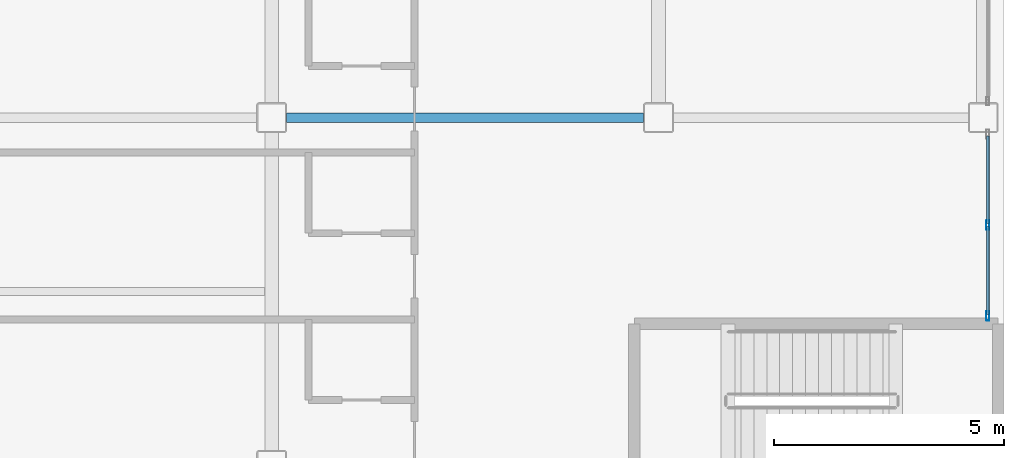
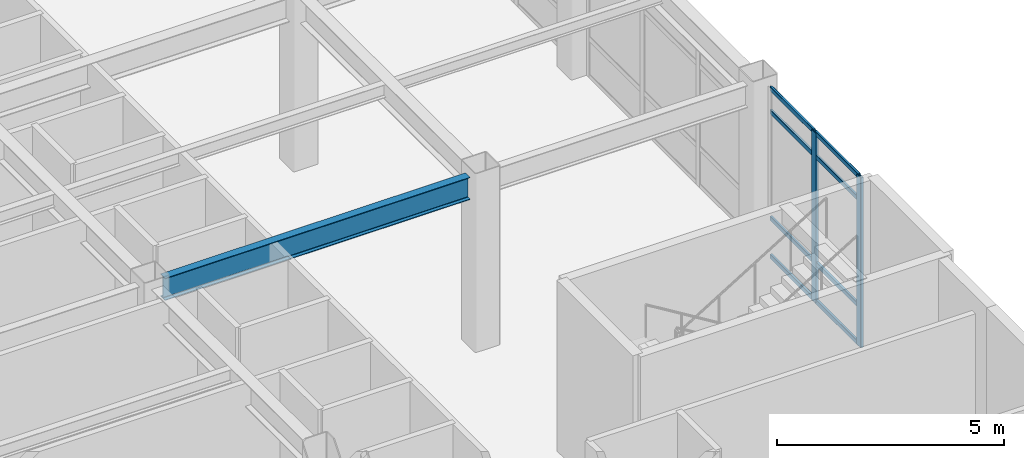
# One storey, part 31 of 61: 10 members, 1 beam, 1 element without a shape of its own.
"""IFC4 building model written with IfcOpenShell, lengths in metres."""

import ifcopenshell
import ifcopenshell.guid

model = None  # the IFC model being written
_history = None  # IfcOwnerHistory: only IFC2X3 demands one
_inside = {}  # id of a spatial element -> (the spatial element, [elements in it])
_under = {}  # id of a project, library or spatial element -> (it, [spatial elements below it])
_declared = {}  # id of a project -> (the project, [libraries it declares])
_typed = {}  # id of a type object -> (the type object, [elements of that type])
_made_of = {}  # id of a material, layer set ... -> (it, [elements and type objects made of it])


def new_model(schema):
    """Start an empty IFC model of exactly this schema.

    Asked for "IFC4X3", IfcOpenShell would pick the latest addendum, in which some entities
    have other attributes; the version numbers below select the first issue.
    IFC2X3 requires an IfcOwnerHistory on every rooted entity: one is made here for all.
    """
    global model, _history
    if schema == "IFC4X3":
        model = ifcopenshell.file(schema_version=(4, 3, 0, 0))
    else:
        model = ifcopenshell.file(schema=schema)
    _inside.clear()
    _under.clear()
    _declared.clear()
    _typed.clear()
    _made_of.clear()
    _history = None
    if model.schema == "IFC2X3":
        org = make("IfcOrganization", Name="unknown")
        user = make(
            "IfcPersonAndOrganization",
            ThePerson=make("IfcPerson", FamilyName="unknown"),
            TheOrganization=org,
        )
        app = make(
            "IfcApplication",
            ApplicationDeveloper=org,
            Version="unknown",
            ApplicationFullName="unknown",
            ApplicationIdentifier="unknown",
        )
        _history = make(
            "IfcOwnerHistory",
            OwningUser=user,
            OwningApplication=app,
            ChangeAction="ADDED",
            CreationDate=0,
        )
    return model


def make(cls, **values):
    """One entity of the class cls with the attributes given. An attribute that is None is left unset."""
    return model.create_entity(
        cls, **{name: value for name, value in values.items() if value is not None}
    )


def rooted(cls, **values):
    """An entity with a GlobalId (a new one), such as an element, a storey or a relation."""
    return make(cls, GlobalId=ifcopenshell.guid.new(), OwnerHistory=_history, **values)


def si_unit(unit_type, name, prefix=None):
    """IfcSIUnit, for example si_unit("LENGTHUNIT", "METRE", prefix="MILLI")."""
    return make("IfcSIUnit", UnitType=unit_type, Prefix=prefix, Name=name)


def assignment(units):
    """IfcUnitAssignment: the units of a project."""
    return None if units is None else make("IfcUnitAssignment", Units=units)


def point(xyz):
    """IfcCartesianPoint."""
    return None if xyz is None else make("IfcCartesianPoint", Coordinates=xyz)


def direction(xyz):
    """IfcDirection."""
    return None if xyz is None else make("IfcDirection", DirectionRatios=xyz)


def frame(location, z_axis=None, x_axis=None):
    """IfcAxis2Placement3D, a coordinate frame: its origin and axes. An axis left out is left unset."""
    return make(
        "IfcAxis2Placement3D",
        Location=point(location),
        Axis=direction(z_axis),
        RefDirection=direction(x_axis),
    )


def frame_2d(location, x_axis=None):
    """IfcAxis2Placement2D, a coordinate frame in the plane: its origin and x axis."""
    return make(
        "IfcAxis2Placement2D", Location=point(location), RefDirection=direction(x_axis)
    )


def origin():
    """The frame at (0, 0, 0) with its axes left unset."""
    return frame((0.0, 0.0, 0.0))


def origin_2d():
    """The frame at (0, 0) in the plane with its x axis left unset."""
    return frame_2d((0.0, 0.0))


def place(relative_to, where):
    """IfcLocalPlacement: puts the frame where relative to a parent placement (None: the world)."""
    return make(
        "IfcLocalPlacement", PlacementRelTo=relative_to, RelativePlacement=where
    )


def context(
    kind, dimensions, precision=None, world=None, true_north=None, identifier=None
):
    """IfcGeometricRepresentationContext, for example the 3D "Model" context."""
    return make(
        "IfcGeometricRepresentationContext",
        ContextIdentifier=identifier,
        ContextType=kind,
        CoordinateSpaceDimension=dimensions,
        Precision=precision,
        WorldCoordinateSystem=world,
        TrueNorth=true_north,
    )


def subcontext(parent, identifier, kind, view, scale=None):
    """IfcGeometricRepresentationSubContext, for example "Body" below "Model"."""
    return make(
        "IfcGeometricRepresentationSubContext",
        ContextIdentifier=identifier,
        ContextType=kind,
        ParentContext=parent,
        TargetScale=scale,
        TargetView=view,
    )


def project(units=None, contexts=None):
    """IfcProject with its units and contexts."""
    return rooted(
        "IfcProject",
        Name="project",
        RepresentationContexts=contexts,
        UnitsInContext=assignment(units),
    )


def spatial(cls, under=None, at=None, **own):
    """A site, building, storey or space (cls), placed at a placement, below another one or the project."""
    s = rooted(cls, ObjectPlacement=at, **own)
    if under is not None:
        _under.setdefault(under.id(), (under, []))[1].append(s)
    return s


def profile(cls, at=None, kind="AREA", **sizes):
    """A parametric profile (cls). Its sizes go by their IFC names, for example OverallWidth=200.0."""
    return make(cls, ProfileType=kind, Position=at, **sizes)


def hollow_rectangle(**sizes):
    """IfcRectangleHollowProfileDef."""
    return profile("IfcRectangleHollowProfileDef", **sizes)


def i_section(**sizes):
    """IfcIShapeProfileDef."""
    return profile("IfcIShapeProfileDef", **sizes)


def extrude(swept, where, along, depth):
    """IfcExtrudedAreaSolid: the profile swept, set in the frame where, extruded along a direction by depth."""
    return make(
        "IfcExtrudedAreaSolid",
        SweptArea=swept,
        Position=where,
        ExtrudedDirection=direction(along),
        Depth=depth,
    )


def shape(context_of_items, identifier, shape_type, items):
    """IfcShapeRepresentation: the items that make up one representation, for example the "Body"."""
    return make(
        "IfcShapeRepresentation",
        ContextOfItems=context_of_items,
        RepresentationIdentifier=identifier,
        RepresentationType=shape_type,
        Items=items,
    )


def material(Name=None, Category=None):
    """IfcMaterial."""
    return make("IfcMaterial", Name=Name, Category=Category)


def layer(
    of_material, thickness, ventilated=None, Name=None, Category=None, Priority=None
):
    """IfcMaterialLayer: one layer of a wall or slab, of a material (None: an air gap)."""
    return make(
        "IfcMaterialLayer",
        Material=of_material,
        LayerThickness=thickness,
        IsVentilated=ventilated,
        Name=Name,
        Category=Category,
        Priority=Priority,
    )


def layer_set(layers, Name=None):
    """IfcMaterialLayerSet."""
    return make("IfcMaterialLayerSet", MaterialLayers=layers, LayerSetName=Name)


def material_profile(
    of_material, cross_section, Name=None, Category=None, Priority=None
):
    """IfcMaterialProfile: a cross section and its material."""
    return make(
        "IfcMaterialProfile",
        Name=Name,
        Material=of_material,
        Profile=cross_section,
        Priority=Priority,
        Category=Category,
    )


def profile_set(profiles, Name=None, composite=None):
    """IfcMaterialProfileSet."""
    return make(
        "IfcMaterialProfileSet",
        Name=Name,
        MaterialProfiles=profiles,
        CompositeProfile=composite,
    )


def made_of(thing, what):
    """Note that an element or type object is made of a material, layer set ...; save() writes the relation."""
    if what is not None:
        _made_of.setdefault(what.id(), (what, []))[1].append(thing)
    return thing


def type_object(cls, material=None, **own):
    """A type object (cls), such as IfcWallType, which elements share."""
    return made_of(rooted(cls, **own), material)


def element(
    cls,
    number,
    at=None,
    inside=None,
    cuts=None,
    type_object=None,
    material=None,
    context=None,
    identifier="Body",
    shape_type=None,
    held_by="IfcProductDefinitionShape",
    body=None,
    shapes=None,
    **own,
):
    """One element of the class cls, such as IfcWall. Its Tag is "e" and its number.

    at: its placement. inside: the storey or other place that contains it. cuts: it is an
    opening in that element (IfcRelVoidsElement). A single representation is given by context,
    identifier, shape_type and body (its items); several are given by shapes. held_by: the class
    of the entity that holds the representations. save() writes the other relations.
    """
    e = rooted(cls, Tag="e%d" % number, ObjectPlacement=at, **own)
    if body is not None:
        shapes = [shape(context, identifier, shape_type, body)]
    if shapes is not None:
        e.Representation = make(held_by, Representations=shapes)
    if inside is not None:
        _inside.setdefault(inside.id(), (inside, []))[1].append(e)
    if cuts is not None:
        rooted(
            "IfcRelVoidsElement", RelatingBuildingElement=cuts, RelatedOpeningElement=e
        )
    if type_object is not None:
        _typed.setdefault(type_object.id(), (type_object, []))[1].append(e)
    return made_of(e, material)


def aggregate(whole, parts):
    """IfcRelAggregates: a whole, such as a stair, and the parts it consists of."""
    return rooted("IfcRelAggregates", RelatingObject=whole, RelatedObjects=parts)


def save(model, path):
    """Write the relations noted so far, then the file.

    IfcRelAggregates (storeys below a building ...), IfcRelContainedInSpatialStructure (elements
    in a storey), IfcRelDefinesByType, IfcRelAssociatesMaterial and IfcRelDeclares: one each for
    every whole, place, type object, material and project.
    """
    for whole, parts in _under.values():
        aggregate(whole, parts)
    for where, things in _inside.values():
        rooted(
            "IfcRelContainedInSpatialStructure",
            RelatedElements=things,
            RelatingStructure=where,
        )
    for kind, things in _typed.values():
        rooted("IfcRelDefinesByType", RelatedObjects=things, RelatingType=kind)
    for what, things in _made_of.values():
        rooted("IfcRelAssociatesMaterial", RelatedObjects=things, RelatingMaterial=what)
    for by, libraries in _declared.values():
        rooted("IfcRelDeclares", RelatingContext=by, RelatedDefinitions=libraries)
    model.write(path)


model = new_model("IFC4")

# Units and contexts
model_context = context("Model", 3, precision=1e-05, world=origin(), true_north=direction((0.0, 1.0)))
body_context = subcontext(model_context, "Body", "Model", "MODEL_VIEW")
ifc_project = project(units=[si_unit("LENGTHUNIT", "METRE"), si_unit("AREAUNIT", "SQUARE_METRE"), si_unit("VOLUMEUNIT", "CUBIC_METRE"), si_unit("PLANEANGLEUNIT", "RADIAN"), si_unit("MASSUNIT", "GRAM", prefix="KILO")], contexts=[model_context])

# Site, building, storey
site_placement = place(None, origin())
site = spatial("IfcSite", under=ifc_project, at=site_placement, CompositionType="ELEMENT")
building_placement = place(site_placement, origin())
building = spatial("IfcBuilding", under=site, at=building_placement, Name="Kazehara Bluff Congress Hotel", CompositionType="ELEMENT")
storey_placement = place(building_placement, frame((0.0, 0.0, 19.800048828125)))
storey = spatial("IfcBuildingStorey", under=building, at=storey_placement, Name="L04", CompositionType="ELEMENT", Elevation=19.800048828125)

# Curtain wall, members
ifc_material_1 = material(Name="Anodised aluminium", Category="aluminium")
ifc_layer = layer(ifc_material_1, 0.159912109375)
ifc_layer_set = layer_set([ifc_layer], Name="Anodised aluminium")
curtain_wall_type = type_object("IfcCurtainWallType", Name="TP-CW-161", PredefinedType="NOTDEFINED", material=ifc_layer_set)
curtain_wall_placement = place(storey_placement, origin())
curtain_wall = element("IfcCurtainWall", 1, at=curtain_wall_placement, inside=storey, type_object=curtain_wall_type, Name="L04 curtain wall CW-161 CW-ENC-V5-L04-16765-7857", PredefinedType="NOTDEFINED")
ifc_material_2 = material(Name="Anodised aluminium", Category="aluminium")
ifc_material_profile_1 = material_profile(ifc_material_2, hollow_rectangle(XDim=0.070068359375, YDim=0.199951171875, WallThickness=0.0048828125, InnerFilletRadius=0.0048828125, OuterFilletRadius=0.010009765625, at=origin_2d()))
ifc_profile_set_1 = profile_set([ifc_material_profile_1], Name="Anodised aluminium")
member_type_1 = type_object("IfcMemberType", Name="TP-CWM-03", PredefinedType="MULLION", material=ifc_profile_set_1)
member_1_placement = place(storey_placement, frame((167.64990234375, 78.5673828125, 0.0), z_axis=(0.0, 0.0, 1.0), x_axis=(1.0, 0.0, 0.0)))
member_1 = element("IfcMember", 2, at=member_1_placement, type_object=member_type_1, Name="CW-161 mullion 2", PredefinedType="MULLION", context=body_context, shape_type="SweptSolid", body=[
    extrude(hollow_rectangle(XDim=0.070068359375, YDim=0.199951171875, WallThickness=0.0048828125, InnerFilletRadius=0.0048828125, OuterFilletRadius=0.010009765625, at=origin_2d()), origin(), (0.0, 0.0, 1.0), 4.56494140625),
])
member_2_placement = place(storey_placement, frame((167.64990234375, 76.594970703125, 0.0), z_axis=(0.0, 0.0, 1.0), x_axis=(1.0, 0.0, 0.0)))
member_2 = element("IfcMember", 3, at=member_2_placement, type_object=member_type_1, Name="CW-161 mullion 3", PredefinedType="MULLION", context=body_context, shape_type="SweptSolid", body=[
    extrude(hollow_rectangle(XDim=0.070068359375, YDim=0.199951171875, WallThickness=0.0048828125, InnerFilletRadius=0.0048828125, OuterFilletRadius=0.010009765625, at=origin_2d()), origin(), (0.0, 0.0, 1.0), 4.56494140625),
])
ifc_material_3 = material(Name="Anodised aluminium", Category="aluminium")
ifc_material_profile_2 = material_profile(ifc_material_3, hollow_rectangle(XDim=0.06005859375, YDim=0.1201171875, WallThickness=0.00390625, InnerFilletRadius=0.00390625, OuterFilletRadius=0.008056640625, at=origin_2d()))
ifc_profile_set_2 = profile_set([ifc_material_profile_2], Name="Anodised aluminium")
member_type_2 = type_object("IfcMemberType", Name="TP-CWT-01", PredefinedType="USERDEFINED", material=ifc_profile_set_2)
member_3_placement = place(storey_placement, frame((167.64990234375, 80.5048828125, 0.030029296875), z_axis=(0.0, -1.0, 0.0), x_axis=(1.0, 0.0, 0.0)))
member_3 = element("IfcMember", 4, at=member_3_placement, type_object=member_type_2, Name="CW-161 transom 1.1", ObjectType="TRANSOM", PredefinedType="USERDEFINED", context=body_context, shape_type="SweptSolid", body=[
    extrude(hollow_rectangle(XDim=0.06005859375, YDim=0.1201171875, WallThickness=0.00390625, InnerFilletRadius=0.00390625, OuterFilletRadius=0.008056640625, at=origin_2d()), origin(), (0.0, 0.0, 1.0), 1.90234375),
])
member_4_placement = place(storey_placement, frame((167.64990234375, 80.5048828125, 1.050048828125), z_axis=(0.0, -1.0, 0.0), x_axis=(1.0, 0.0, 0.0)))
member_4 = element("IfcMember", 5, at=member_4_placement, type_object=member_type_2, Name="CW-161 transom 1.2", ObjectType="TRANSOM", PredefinedType="USERDEFINED", context=body_context, shape_type="SweptSolid", body=[
    extrude(hollow_rectangle(XDim=0.06005859375, YDim=0.1201171875, WallThickness=0.00390625, InnerFilletRadius=0.00390625, OuterFilletRadius=0.008056640625, at=origin_2d()), origin(), (0.0, 0.0, 1.0), 1.90234375),
])
member_5_placement = place(storey_placement, frame((167.64990234375, 80.5048828125, 3.9150390625), z_axis=(0.0, -1.0, 0.0), x_axis=(1.0, 0.0, 0.0)))
member_5 = element("IfcMember", 6, at=member_5_placement, type_object=member_type_2, Name="CW-161 transom 1.3", ObjectType="TRANSOM", PredefinedType="USERDEFINED", context=body_context, shape_type="SweptSolid", body=[
    extrude(hollow_rectangle(XDim=0.06005859375, YDim=0.1201171875, WallThickness=0.00390625, InnerFilletRadius=0.00390625, OuterFilletRadius=0.008056640625, at=origin_2d()), origin(), (0.0, 0.0, 1.0), 1.90234375),
])
member_6_placement = place(storey_placement, frame((167.64990234375, 80.5048828125, 4.534912109375), z_axis=(0.0, -1.0, 0.0), x_axis=(1.0, 0.0, 0.0)))
member_6 = element("IfcMember", 7, at=member_6_placement, type_object=member_type_2, Name="CW-161 transom 1.4", ObjectType="TRANSOM", PredefinedType="USERDEFINED", context=body_context, shape_type="SweptSolid", body=[
    extrude(hollow_rectangle(XDim=0.06005859375, YDim=0.1201171875, WallThickness=0.00390625, InnerFilletRadius=0.00390625, OuterFilletRadius=0.008056640625, at=origin_2d()), origin(), (0.0, 0.0, 1.0), 1.90234375),
])
member_7_placement = place(storey_placement, frame((167.64990234375, 78.532470703125, 0.030029296875), z_axis=(0.0, -1.0, 0.0), x_axis=(1.0, 0.0, 0.0)))
member_7 = element("IfcMember", 8, at=member_7_placement, type_object=member_type_2, Name="CW-161 transom 2.1", ObjectType="TRANSOM", PredefinedType="USERDEFINED", context=body_context, shape_type="SweptSolid", body=[
    extrude(hollow_rectangle(XDim=0.06005859375, YDim=0.1201171875, WallThickness=0.00390625, InnerFilletRadius=0.00390625, OuterFilletRadius=0.008056640625, at=origin_2d()), origin(), (0.0, 0.0, 1.0), 1.902587890625),
])
member_8_placement = place(storey_placement, frame((167.64990234375, 78.532470703125, 1.050048828125), z_axis=(0.0, -1.0, 0.0), x_axis=(1.0, 0.0, 0.0)))
member_8 = element("IfcMember", 9, at=member_8_placement, type_object=member_type_2, Name="CW-161 transom 2.2", ObjectType="TRANSOM", PredefinedType="USERDEFINED", context=body_context, shape_type="SweptSolid", body=[
    extrude(hollow_rectangle(XDim=0.06005859375, YDim=0.1201171875, WallThickness=0.00390625, InnerFilletRadius=0.00390625, OuterFilletRadius=0.008056640625, at=origin_2d()), origin(), (0.0, 0.0, 1.0), 1.902587890625),
])
member_9_placement = place(storey_placement, frame((167.64990234375, 78.532470703125, 3.9150390625), z_axis=(0.0, -1.0, 0.0), x_axis=(1.0, 0.0, 0.0)))
member_9 = element("IfcMember", 10, at=member_9_placement, type_object=member_type_2, Name="CW-161 transom 2.3", ObjectType="TRANSOM", PredefinedType="USERDEFINED", context=body_context, shape_type="SweptSolid", body=[
    extrude(hollow_rectangle(XDim=0.06005859375, YDim=0.1201171875, WallThickness=0.00390625, InnerFilletRadius=0.00390625, OuterFilletRadius=0.008056640625, at=origin_2d()), origin(), (0.0, 0.0, 1.0), 1.902587890625),
])
member_10_placement = place(storey_placement, frame((167.64990234375, 78.532470703125, 4.534912109375), z_axis=(0.0, -1.0, 0.0), x_axis=(1.0, 0.0, 0.0)))
member_10 = element("IfcMember", 11, at=member_10_placement, type_object=member_type_2, Name="CW-161 transom 2.4", ObjectType="TRANSOM", PredefinedType="USERDEFINED", context=body_context, shape_type="SweptSolid", body=[
    extrude(hollow_rectangle(XDim=0.06005859375, YDim=0.1201171875, WallThickness=0.00390625, InnerFilletRadius=0.00390625, OuterFilletRadius=0.008056640625, at=origin_2d()), origin(), (0.0, 0.0, 1.0), 1.902587890625),
])
aggregate(curtain_wall, [member_1, member_2, member_3, member_4, member_5, member_6, member_7, member_8, member_9, member_10])

# Beam
ifc_material_4 = material(Name="Steel SN490B", Category="steel")
ifc_material_profile_3 = material_profile(ifc_material_4, i_section(OverallWidth=0.199951171875, OverallDepth=0.60009765625, WebThickness=0.010986328125, FlangeThickness=0.01708984375, FilletRadius=0.012939453125, at=origin_2d()))
ifc_profile_set_3 = profile_set([ifc_material_profile_3], Name="Steel SN490B")
beam_type = type_object("IfcBeamType", Name="TP-SP-02", PredefinedType="SPANDREL", material=ifc_profile_set_3)
beam_placement = place(storey_placement, frame((152.425048828125, 80.89990234375, 4.280029296875), z_axis=(1.0, 0.0, 0.0), x_axis=(0.0, 1.0, 0.0)))
element("IfcBeam", 12, at=beam_placement, inside=storey, type_object=beam_type, Name="L04 girder SP-02 105", PredefinedType="SPANDREL", context=body_context, shape_type="SweptSolid", body=[
    extrude(i_section(OverallWidth=0.199951171875, OverallDepth=0.60009765625, WebThickness=0.010986328125, FlangeThickness=0.01708984375, FilletRadius=0.012939453125, at=origin_2d()), origin(), (0.0, 0.0, 1.0), 7.75),
])

save(model, "model.ifc")
